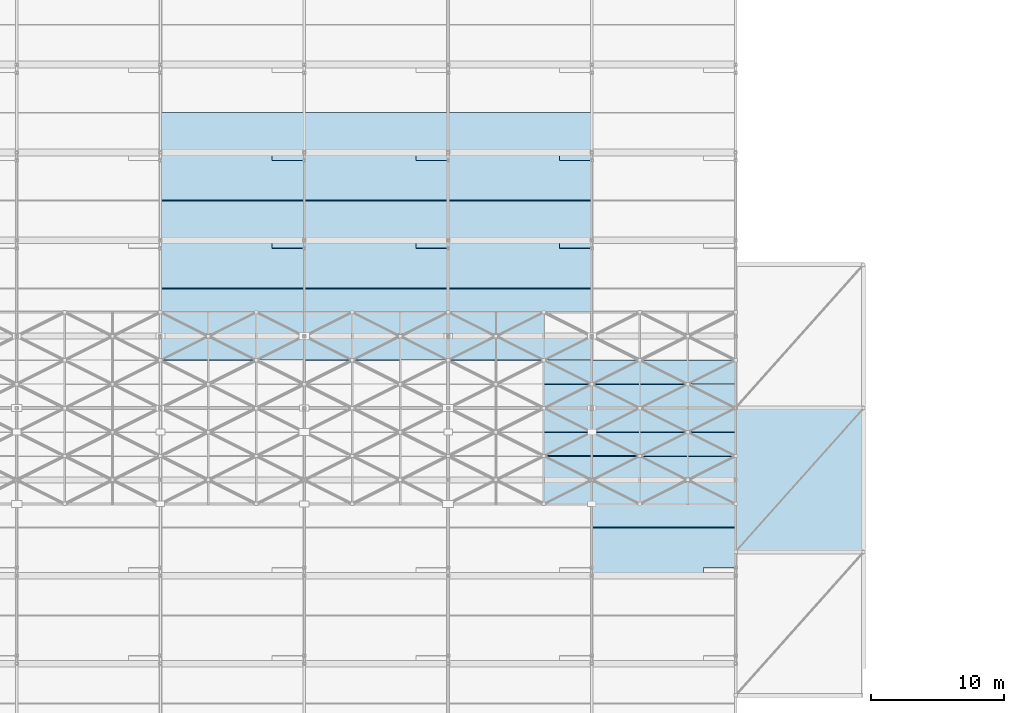
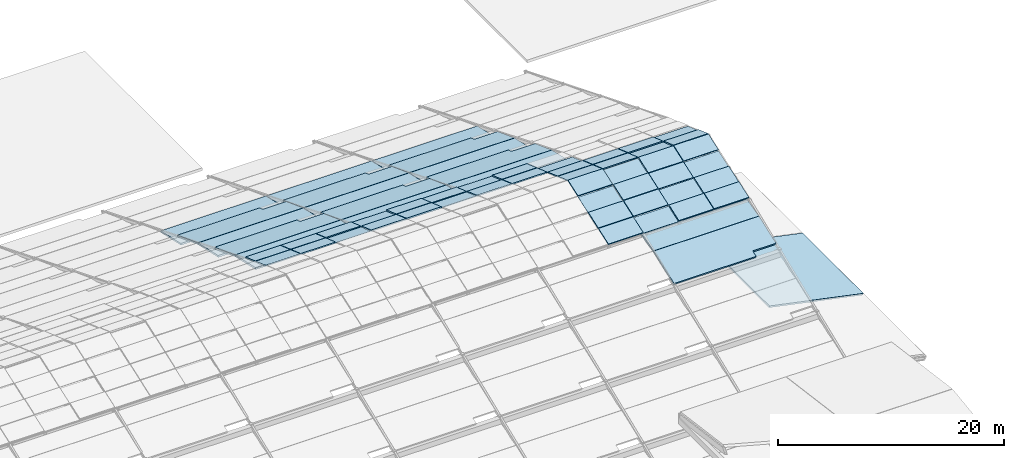
# One storey, part 103 of 112: 41 plates, 18 slabs, 4 elements without a shape of their own.
"""IFC4 building model written with IfcOpenShell, lengths in metres."""

from ifc_helpers import new_model, si_unit, direction, frame, origin, place, context, subcontext, project, spatial, polyline, outline, extrude, material, layer, layer_set, type_object, element, aggregate, save


model = new_model("IFC4")

# Units and contexts
model_context = context("Model", 3, precision=1e-05, world=origin(), true_north=direction((0.0, 1.0)))
body_context = subcontext(model_context, "Body", "Model", "MODEL_VIEW")
ifc_project = project(units=[si_unit("LENGTHUNIT", "METRE"), si_unit("AREAUNIT", "SQUARE_METRE"), si_unit("VOLUMEUNIT", "CUBIC_METRE"), si_unit("PLANEANGLEUNIT", "RADIAN"), si_unit("MASSUNIT", "GRAM", prefix="KILO")], contexts=[model_context])

# Site, building, storey
site_placement = place(None, origin())
site = spatial("IfcSite", under=ifc_project, at=site_placement, CompositionType="ELEMENT")
building_placement = place(site_placement, origin())
building = spatial("IfcBuilding", under=site, at=building_placement, Name="Zwinboog Wholesale Market", CompositionType="ELEMENT")
storey_placement = place(building_placement, frame((0.0, 0.0, 19.080078125)))
storey = spatial("IfcBuildingStorey", under=building, at=storey_placement, Name="Roof", CompositionType="ELEMENT", Elevation=19.080078125)

# Roof, slab
ifc_material_1 = material(Name="Concrete C50/60", Category="concrete")
roof_type = type_object("IfcRoofType", Name="RFT-SHELL-BARREL", PredefinedType="BARREL_ROOF", material=ifc_material_1)
roof_1_placement = place(storey_placement, origin())
roof_1 = element("IfcRoof", 1, at=roof_1_placement, inside=storey, type_object=roof_type, Name="RF-SH (ROOF-BARREL-02)", PredefinedType="BARREL_ROOF")
ifc_layer_1 = layer(ifc_material_1, 0.172119140625)
ifc_layer_set_1 = layer_set([ifc_layer_1], Name="Concrete C50/60")
slab_type_1 = type_object("IfcSlabType", Name="SLT-SH-172", PredefinedType="ROOF", material=ifc_layer_set_1)
slab_1_placement = place(storey_placement, frame((129.610107421875, 94.2099609375, -4.630126953125), z_axis=(0.0, 0.219360206869, 0.975643941017), x_axis=(1.0, 0.0, 0.0)))
slab_1 = element("IfcSlab", 2, at=slab_1_placement, type_object=slab_type_1, Name="SH-172 (SLB-SH-NT2-B07-2)", PredefinedType="ROOF", context=body_context, shape_type="SweptSolid", body=[
    extrude(outline(polyline([(0.0, 0.0), (10.77978515625, 0.0), (10.77978515625, 3.669451502225199), (0.0, 3.669451502225199), (0.0, 0.0)])), origin(), (0.0, 0.0, -1.0), 0.172119140625),
])

roof_2_placement = place(storey_placement, origin())
roof_2 = element("IfcRoof", 3, at=roof_2_placement, inside=storey, type_object=roof_type, Name="RF-SH (ROOF-BARREL-03)", PredefinedType="BARREL_ROOF")
slab_2_placement = place(storey_placement, frame((140.409912109375, 94.2099609375, -4.630126953125), z_axis=(0.0, 0.219360206869, 0.975643941017), x_axis=(1.0, 0.0, 0.0)))
slab_2 = element("IfcSlab", 4, at=slab_2_placement, type_object=slab_type_1, Name="SH-172 (SLB-SH-NT2-B08-2)", PredefinedType="ROOF", context=body_context, shape_type="SweptSolid", body=[
    extrude(outline(polyline([(0.0, 0.0), (10.780029296875, 0.0), (10.780029296875, 3.669451502225199), (0.0, 3.669451502225199), (0.0, 0.0)])), origin(), (0.0, 0.0, -1.0), 0.172119140625),
])

roof_3_placement = place(storey_placement, origin())
roof_3 = element("IfcRoof", 5, at=roof_3_placement, inside=storey, type_object=roof_type, Name="RF-SH (ROOF-BARREL-04)", PredefinedType="BARREL_ROOF")
slab_3_placement = place(storey_placement, frame((151.2099609375, 94.2099609375, -4.630126953125), z_axis=(0.0, 0.219360206869, 0.975643941017), x_axis=(1.0, 0.0, 0.0)))
slab_3 = element("IfcSlab", 6, at=slab_3_placement, type_object=slab_type_1, Name="SH-172 (SLB-SH-NT2-B09-2)", PredefinedType="ROOF", context=body_context, shape_type="SweptSolid", body=[
    extrude(outline(polyline([(0.0, 0.0), (10.780029296875, 0.0), (10.780029296875, 3.669451502225199), (0.0, 3.669451502225199), (0.0, 0.0)])), origin(), (0.0, 0.0, -1.0), 0.172119140625),
])

# Slab
slab_4_placement = place(storey_placement, frame((172.800048828125, 64.820068359375, -8.68017578125), z_axis=(0.203957236795, 0.0, 0.978979798341), x_axis=(0.978979798341, 0.0, -0.203957236795)))
element("IfcSlab", 7, at=slab_4_placement, inside=storey, type_object=slab_type_1, Name="SH-172 (SLB-CAN-02)", PredefinedType="ROOF", context=body_context, shape_type="SweptSolid", body=[
    extrude(outline(polyline([(0.0, 0.0), (9.8059771324156, 0.0), (9.8059771324156, 10.760009765625), (0.0, 10.760009765625), (0.0, 0.0)])), origin(), (0.0, 0.0, -1.0), 0.179931640625),
])

ifc_layer_2 = layer(ifc_material_1, 0.18603515625)
ifc_layer_set_2 = layer_set([ifc_layer_2], Name="Concrete C50/60")
slab_type_2 = type_object("IfcSlabType", Name="SLT-SH-186", PredefinedType="ROOF", material=ifc_layer_set_2)
slab_5_placement = place(storey_placement, frame((129.610107421875, 91.2099609375, -2.735107421875), z_axis=(4.69326e-06, 0.351688567707, 0.936117060694), x_axis=(0.999999999989, -1.650566e-06, -4.393441e-06)))
slab_5 = element("IfcSlab", 8, at=slab_5_placement, type_object=slab_type_2, Name="SH-186 (SLB-SH-NT3-B07-1)", PredefinedType="ROOF", context=body_context, shape_type="SweptSolid", body=[
    extrude(outline(polyline([(0.0, 0.0), (10.779785156131279, 0.0), (10.77978515650044, 3.183371243768934), (8.37988281277687, 3.183371243768934), (8.379882812301986, 3.824383031661528), (-1.0572380666834866e-10, 3.824383031661528), (0.0, 0.0)])), origin(), (0.0, 0.0, -1.0), 0.18603515625),
])

slab_6_placement = place(storey_placement, frame((129.610107421875, 87.610107421875, -1.93017578125), z_axis=(0.0, 0.219374447053, 0.975640739197), x_axis=(1.0, 0.0, 0.0)))
slab_6 = element("IfcSlab", 9, at=slab_6_placement, type_object=slab_type_2, Name="SH-186 (SLB-SH-NT3-B07-2)", PredefinedType="ROOF", context=body_context, shape_type="SweptSolid", body=[
    extrude(outline(polyline([(0.0, 0.0), (10.77978515625, 0.0), (10.77978515625, 3.6692133082944967), (0.0, 3.6692133082944967), (0.0, 0.0)])), origin(), (0.0, 0.0, -1.0), 0.18603515625),
])

slab_7_placement = place(storey_placement, frame((140.409912109375, 91.2099609375, -2.735107421875), z_axis=(4.69315e-06, 0.351688567577, 0.936117060743), x_axis=(0.999999999989, -1.650527e-06, -4.393337e-06)))
slab_7 = element("IfcSlab", 10, at=slab_7_placement, type_object=slab_type_2, Name="SH-186 (SLB-SH-NT3-B08-1)", PredefinedType="ROOF", context=body_context, shape_type="SweptSolid", body=[
    extrude(outline(polyline([(0.0, 0.0), (10.78002929675628, 2.2827599967049336e-21), (10.780029297125436, 3.183371243768923), (8.380126953401867, 3.183371243768923), (8.380126952926993, 3.824383031661531), (-1.0571883235301646e-10, 3.824383031661531), (0.0, 0.0)])), origin(), (0.0, 0.0, -1.0), 0.18603515625),
])

slab_8_placement = place(storey_placement, frame((140.409912109375, 87.610107421875, -1.93017578125), z_axis=(0.0, 0.219374447053, 0.975640739197), x_axis=(1.0, 0.0, 0.0)))
slab_8 = element("IfcSlab", 11, at=slab_8_placement, type_object=slab_type_2, Name="SH-186 (SLB-SH-NT3-B08-2)", PredefinedType="ROOF", context=body_context, shape_type="SweptSolid", body=[
    extrude(outline(polyline([(0.0, 0.0), (10.780029296875, 0.0), (10.780029296875, 3.6692133082944967), (0.0, 3.6692133082944967), (0.0, 0.0)])), origin(), (0.0, 0.0, -1.0), 0.18603515625),
])

slab_9_placement = place(storey_placement, frame((151.2099609375, 91.2099609375, -2.735107421875), z_axis=(4.69315e-06, 0.351688567577, 0.936117060743), x_axis=(0.999999999989, -1.650527e-06, -4.393337e-06)))
slab_9 = element("IfcSlab", 12, at=slab_9_placement, type_object=slab_type_2, Name="SH-186 (SLB-SH-NT3-B09-1)", PredefinedType="ROOF", context=body_context, shape_type="SweptSolid", body=[
    extrude(outline(polyline([(0.0, 0.0), (10.78002929675628, 2.2827599967049336e-21), (10.780029297125436, 3.183371243768923), (8.380126953401867, 3.183371243768923), (8.380126952926993, 3.824383031661531), (-1.0571883235301646e-10, 3.824383031661531), (0.0, 0.0)])), origin(), (0.0, 0.0, -1.0), 0.18603515625),
])

slab_10_placement = place(storey_placement, frame((151.2099609375, 87.610107421875, -1.93017578125), z_axis=(0.0, 0.219374447053, 0.975640739197), x_axis=(1.0, 0.0, 0.0)))
slab_10 = element("IfcSlab", 13, at=slab_10_placement, type_object=slab_type_2, Name="SH-186 (SLB-SH-NT3-B09-2)", PredefinedType="ROOF", context=body_context, shape_type="SweptSolid", body=[
    extrude(outline(polyline([(0.0, 0.0), (10.780029296875, 0.0), (10.780029296875, 3.6692133082944967), (0.0, 3.6692133082944967), (0.0, 0.0)])), origin(), (0.0, 0.0, -1.0), 0.18603515625),
])

ifc_layer_3 = layer(ifc_material_1, 0.201904296875)
ifc_layer_set_3 = layer_set([ifc_layer_3], Name="Concrete C50/60")
slab_type_3 = type_object("IfcSlabType", Name="SLT-SH-202", PredefinedType="ROOF", material=ifc_layer_set_3)
slab_11_placement = place(storey_placement, frame((129.610107421875, 84.610107421875, -0.03515625), z_axis=(1.249594e-06, 0.351705539607, 0.936110684379), x_axis=(0.999999999999, -4.39489e-07, -1.169758e-06)))
slab_11 = element("IfcSlab", 14, at=slab_11_placement, type_object=slab_type_3, Name="SH-202 (SLB-SH-NT4-B07-1)", PredefinedType="ROOF", context=body_context, shape_type="SweptSolid", body=[
    extrude(outline(polyline([(0.0, 0.0), (10.779785156241584, 0.0), (10.779785156267753, 3.1833712446718234), (8.379882812519627, 3.1833712446718234), (8.379882812485963, 3.824154487977018), (-7.494821892877005e-12, 3.824154487977018), (0.0, 0.0)])), origin(), (0.0, 0.0, -1.0), 0.201904296875),
])

slab_12_placement = place(storey_placement, frame((129.610107421875, 81.010009765625, 0.77001953125), z_axis=(0.0, 0.219423537249, 0.975629699887), x_axis=(1.0, 0.0, 0.0)))
slab_12 = element("IfcSlab", 15, at=slab_12_placement, type_object=slab_type_3, Name="SH-202 (SLB-SH-NT4-B07-2)", PredefinedType="ROOF", context=body_context, shape_type="SweptSolid", body=[
    extrude(outline(polyline([(0.0, 0.0), (10.77978515625, 0.0), (10.77978515625, 3.66950506469402), (0.0, 3.66950506469402), (0.0, 0.0)])), origin(), (0.0, 0.0, -1.0), 0.201904296875),
])

aggregate(roof_1, [slab_1, slab_5, slab_6, slab_11, slab_12])

slab_13_placement = place(storey_placement, frame((140.409912109375, 84.610107421875, -0.03515625), z_axis=(1.249564e-06, 0.351705539572, 0.936110684392), x_axis=(0.999999999999, -4.39479e-07, -1.169731e-06)))
slab_13 = element("IfcSlab", 16, at=slab_13_placement, type_object=slab_type_3, Name="SH-202 (SLB-SH-NT4-B08-1)", PredefinedType="ROOF", context=body_context, shape_type="SweptSolid", body=[
    extrude(outline(polyline([(0.0, 0.0), (10.780029296866584, -5.706899991762334e-22), (10.780029296892753, 3.183371244671823), (8.380126953144627, 3.183371244671823), (8.380126953110963, 3.824154487977019), (-7.494469264378976e-12, 3.824154487977019), (0.0, 0.0)])), origin(), (0.0, 0.0, -1.0), 0.201904296875),
])

slab_14_placement = place(storey_placement, frame((140.409912109375, 81.010009765625, 0.77001953125), z_axis=(0.0, 0.219423537249, 0.975629699887), x_axis=(1.0, 0.0, 0.0)))
slab_14 = element("IfcSlab", 17, at=slab_14_placement, type_object=slab_type_3, Name="SH-202 (SLB-SH-NT4-B08-2)", PredefinedType="ROOF", context=body_context, shape_type="SweptSolid", body=[
    extrude(outline(polyline([(0.0, 0.0), (10.780029296875, 0.0), (10.780029296875, 3.66950506469402), (0.0, 3.66950506469402), (0.0, 0.0)])), origin(), (0.0, 0.0, -1.0), 0.201904296875),
])

aggregate(roof_2, [slab_2, slab_7, slab_8, slab_13, slab_14])

slab_15_placement = place(storey_placement, frame((151.2099609375, 84.610107421875, -0.03515625), z_axis=(1.249564e-06, 0.351705539572, 0.936110684392), x_axis=(0.999999999999, -4.39479e-07, -1.169731e-06)))
slab_15 = element("IfcSlab", 18, at=slab_15_placement, type_object=slab_type_3, Name="SH-202 (SLB-SH-NT4-B09-1)", PredefinedType="ROOF", context=body_context, shape_type="SweptSolid", body=[
    extrude(outline(polyline([(0.0, 0.0), (10.780029296866584, -5.706899991762334e-22), (10.780029296892753, 3.183371244671823), (8.380126953144627, 3.183371244671823), (8.380126953110963, 3.824154487977019), (-7.494469264378976e-12, 3.824154487977019), (0.0, 0.0)])), origin(), (0.0, 0.0, -1.0), 0.201904296875),
])

slab_16_placement = place(storey_placement, frame((151.2099609375, 81.010009765625, 0.77001953125), z_axis=(0.0, 0.219423537249, 0.975629699887), x_axis=(1.0, 0.0, 0.0)))
slab_16 = element("IfcSlab", 19, at=slab_16_placement, type_object=slab_type_3, Name="SH-202 (SLB-SH-NT4-B09-2)", PredefinedType="ROOF", context=body_context, shape_type="SweptSolid", body=[
    extrude(outline(polyline([(0.0, 0.0), (10.780029296875, 0.0), (10.780029296875, 3.66950506469402), (0.0, 3.66950506469402), (0.0, 0.0)])), origin(), (0.0, 0.0, -1.0), 0.201904296875),
])

aggregate(roof_3, [slab_3, slab_9, slab_10, slab_15, slab_16])

# Roof, slabs
roof_4_placement = place(storey_placement, origin())
roof_4 = element("IfcRoof", 20, at=roof_4_placement, inside=storey, type_object=roof_type, Name="RF-SH (ROOF-BARREL-05)", PredefinedType="BARREL_ROOF")
slab_17_placement = place(storey_placement, frame((162.010009765625, 63.010009765625, -1.380126953125), z_axis=(4.693168e-06, -0.35168856816, 0.936117060524), x_axis=(0.999999999989, 1.650534e-06, -4.393355e-06)))
slab_17 = element("IfcSlab", 21, at=slab_17_placement, type_object=slab_type_3, Name="SH-202 (SLB-SH-ST4-B10-1)", PredefinedType="ROOF", context=body_context, shape_type="SweptSolid", body=[
    extrude(outline(polyline([(0.0, 0.0), (8.379882812407713, -1.7745092090793826e-21), (8.379882812882592, 0.641011787892545), (10.78002929723116, 0.641011787892545), (10.78002929686201, 3.8243830316615175), (1.0573042088097136e-10, 3.8243830316615175), (0.0, 0.0)])), origin(), (0.0, 0.0, -1.0), 0.201904296875),
])
slab_18_placement = place(storey_placement, frame((162.010009765625, 66.610107421875, -0.03515625), z_axis=(0.0, -0.219437781128, 0.975626496265), x_axis=(1.0, 0.0, 0.0)))
slab_18 = element("IfcSlab", 22, at=slab_18_placement, type_object=slab_type_3, Name="SH-202 (SLB-SH-ST4-B10-2)", PredefinedType="ROOF", context=body_context, shape_type="SweptSolid", body=[
    extrude(outline(polyline([(0.0, 0.0), (10.780029296875, 0.0), (10.780029296875, 3.669266874240375), (0.0, 3.669266874240375), (0.0, 0.0)])), origin(), (0.0, 0.0, -1.0), 0.201904296875),
])
aggregate(roof_4, [slab_17, slab_18])

# Plates
ifc_material_2 = material(Name="Blue solar control glass", Category="glass")
ifc_layer_4 = layer(ifc_material_2, 0.030029296875)
ifc_layer_set_4 = layer_set([ifc_layer_4], Name="Blue solar control glass")
plate_type_1 = type_object("IfcPlateType", Name="PLT-SKG-01", PredefinedType="SHEET", material=ifc_layer_set_4)
plate_1_placement = place(storey_placement, frame((162.02001953125, 73.820068359375, 2.66943359375), z_axis=(0.0, -0.333825357548, 0.942634940291), x_axis=(1.0, 0.0, 0.0)))
element("IfcPlate", 23, at=plate_1_placement, inside=storey, type_object=plate_type_1, Name="SKG-01 (PLT-SKY-0258)", PredefinedType="SHEET", context=body_context, shape_type="SweptSolid", body=[
    extrude(outline(polyline([(0.0, 0.0), (3.56005859375, 0.0), (3.56005859375, 1.8671170464794682), (0.0, 1.8671170464794682), (0.0, 0.0)])), origin(), (0.0, 0.0, -1.0), 0.030029296875),
])
ifc_layer_5 = layer(ifc_material_2, 0.033935546875)
ifc_layer_set_5 = layer_set([ifc_layer_5], Name="Blue solar control glass")
plate_type_2 = type_object("IfcPlateType", Name="PLT-SKG-02", PredefinedType="SHEET", material=ifc_layer_set_5)
for number, where, z_axis, x_axis, name in (
    (24, (151.219970703125, 81.02001953125, 1.38427734375), (0.0, 0.333825357548, 0.942634940291), (1.0, 0.0, 0.0), "SKG-02 (PLT-SKY-0236)"),
    (25, (169.219970703125, 72.02001953125, 2.0361328125), (0.0, -0.333825357548, 0.942634940291), (1.0, 0.0, 0.0), "SKG-02 (PLT-SKY-0275)"),
):
    element("IfcPlate", number, at=place(storey_placement, frame(where, z_axis=z_axis, x_axis=x_axis)), inside=storey, type_object=plate_type_2, Name=name, PredefinedType="SHEET", context=body_context, shape_type="SweptSolid", body=[
        extrude(outline(polyline([(0.0, 0.0), (3.56005859375, 0.0), (3.56005859375, 1.8671170464794682), (0.0, 1.8671170464794682), (0.0, 0.0)])), origin(), (0.0, 0.0, -1.0), 0.033935546875),
    ])
ifc_layer_6 = layer(ifc_material_2, 0.0380859375)
ifc_layer_set_6 = layer_set([ifc_layer_6], Name="Blue solar control glass")
plate_type_3 = type_object("IfcPlateType", Name="PLT-SKG-03", PredefinedType="SHEET", material=ifc_layer_set_6)
plate_2_placement = place(storey_placement, frame((136.820068359375, 79.219970703125, 2.02587890625), z_axis=(0.0, 0.333825357548, 0.942634940291), x_axis=(1.0, 0.0, 0.0)))
element("IfcPlate", 26, at=plate_2_placement, inside=storey, type_object=plate_type_3, Name="SKG-03 (PLT-SKY-0195)", PredefinedType="SHEET", context=body_context, shape_type="SweptSolid", body=[
    extrude(outline(polyline([(0.0, 0.0), (3.559814453125, 0.0), (3.559814453125, 1.8671170464794682), (0.0, 1.8671170464794682), (0.0, 0.0)])), origin(), (0.0, 0.0, -1.0), 0.0380859375),
])
plate_3_placement = place(storey_placement, frame((158.419921875, 79.219970703125, 2.02587890625), z_axis=(0.0, 0.333825357548, 0.942634940291), x_axis=(1.0, 0.0, 0.0)))
element("IfcPlate", 27, at=plate_3_placement, inside=storey, type_object=plate_type_3, Name="SKG-03 (PLT-SKY-0251)", PredefinedType="SHEET", context=body_context, shape_type="SweptSolid", body=[
    extrude(outline(polyline([(0.0, 0.0), (3.56005859375, 0.0), (3.56005859375, 1.8671170464794682), (0.0, 1.8671170464794682), (0.0, 0.0)])), origin(), (0.0, 0.0, -1.0), 0.0380859375),
])
plate_4_placement = place(storey_placement, frame((165.6201171875, 75.6201171875, 3.30078125), z_axis=(0.0, 0.333866508657, 0.942620366), x_axis=(1.0, 0.0, 0.0)))
element("IfcPlate", 28, at=plate_4_placement, inside=storey, type_object=plate_type_3, Name="SKG-03 (PLT-SKY-0269)", PredefinedType="SHEET", context=body_context, shape_type="SweptSolid", body=[
    extrude(outline(polyline([(0.0, 0.0), (3.559814453125, 0.0), (3.559814453125, 1.866886912774977), (0.0, 1.866886912774977), (0.0, 0.0)])), origin(), (0.0, 0.0, -1.0), 0.0380859375),
])
ifc_layer_7 = layer(ifc_material_2, 0.0419921875)
ifc_layer_set_7 = layer_set([ifc_layer_7], Name="Blue solar control glass")
plate_type_4 = type_object("IfcPlateType", Name="PLT-SKG-04", PredefinedType="SHEET", material=ifc_layer_set_7)
plate_5_placement = place(storey_placement, frame((162.02001953125, 68.419921875, 0.76904296875), z_axis=(0.0, -0.333825357548, 0.942634940291), x_axis=(1.0, 0.0, 0.0)))
element("IfcPlate", 29, at=plate_5_placement, inside=storey, type_object=plate_type_4, Name="SKG-04 (PLT-SKY-0254)", PredefinedType="SHEET", context=body_context, shape_type="SweptSolid", body=[
    extrude(outline(polyline([(0.0, 0.0), (3.56005859375, 0.0), (3.56005859375, 1.8671170464794682), (0.0, 1.8671170464794682), (0.0, 0.0)])), origin(), (0.0, 0.0, -1.0), 0.0419921875),
])
ifc_layer_8 = layer(ifc_material_2, 0.0458984375)
ifc_layer_set_8 = layer_set([ifc_layer_8], Name="Blue solar control glass")
plate_type_5 = type_object("IfcPlateType", Name="PLT-SKG-05", PredefinedType="SHEET", material=ifc_layer_set_8)
for number, where, z_axis, x_axis, name in (
    (30, (140.419921875, 81.02001953125, 1.396240234375), (0.0, 0.333825357548, 0.942634940291), (1.0, 0.0, 0.0), "SKG-05 (PLT-SKY-0208)"),
    (31, (158.419921875, 72.02001953125, 2.048095703125), (0.0, -0.333825357548, 0.942634940291), (1.0, 0.0, 0.0), "SKG-05 (PLT-SKY-0247)"),
    (32, (169.219970703125, 77.419921875, 2.67138671875), (0.0, 0.333825357548, 0.942634940291), (1.0, 0.0, 0.0), "SKG-05 (PLT-SKY-0278)"),
):
    element("IfcPlate", number, at=place(storey_placement, frame(where, z_axis=z_axis, x_axis=x_axis)), inside=storey, type_object=plate_type_5, Name=name, PredefinedType="SHEET", context=body_context, shape_type="SweptSolid", body=[
        extrude(outline(polyline([(0.0, 0.0), (3.56005859375, 0.0), (3.56005859375, 1.8671170464794682), (0.0, 1.8671170464794682), (0.0, 0.0)])), origin(), (0.0, 0.0, -1.0), 0.0458984375),
    ])
ifc_layer_9 = layer(ifc_material_2, 0.050048828125)
ifc_layer_set_9 = layer_set([ifc_layer_9], Name="Blue solar control glass")
plate_type_6 = type_object("IfcPlateType", Name="PLT-SKG-06", PredefinedType="SHEET", material=ifc_layer_set_9)
for number, where, z_axis, x_axis, name in (
    (33, (147.6201171875, 79.219970703125, 2.037841796875), (0.0, 0.333825357548, 0.942634940291), (1.0, 0.0, 0.0), "SKG-06 (PLT-SKY-0223)"),
    (34, (165.6201171875, 70.219970703125, 1.41455078125), (0.0, -0.333825357548, 0.942634940291), (1.0, 0.0, 0.0), "SKG-06 (PLT-SKY-0266)"),
):
    element("IfcPlate", number, at=place(storey_placement, frame(where, z_axis=z_axis, x_axis=x_axis)), inside=storey, type_object=plate_type_6, Name=name, PredefinedType="SHEET", context=body_context, shape_type="SweptSolid", body=[
        extrude(outline(polyline([(0.0, 0.0), (3.559814453125, 0.0), (3.559814453125, 1.8671170464794682), (0.0, 1.8671170464794682), (0.0, 0.0)])), origin(), (0.0, 0.0, -1.0), 0.050048828125),
    ])
ifc_material_3 = material(Name="White insulated aluminium roof panel", Category="aluminium")
ifc_layer_10 = layer(ifc_material_3, 0.110107421875)
ifc_layer_set_10 = layer_set([ifc_layer_10], Name="White insulated aluminium roof panel")
plate_type_7 = type_object("IfcPlateType", Name="PLT-SKW-01", PredefinedType="USERDEFINED", material=ifc_layer_set_10)
for number, where, z_axis, x_axis, name in (
    (35, (129.6201171875, 79.219970703125, 2.097900390625), (0.0, 0.333825357548, 0.942634940291), (1.0, 0.0, 0.0), "SKW-01 (PLT-SKY-0178)"),
    (36, (147.6201171875, 81.02001953125, 1.460205078125), (0.0, 0.333825357548, 0.942634940291), (1.0, 0.0, 0.0), "SKW-01 (PLT-SKY-0224)"),
):
    element("IfcPlate", number, at=place(storey_placement, frame(where, z_axis=z_axis, x_axis=x_axis)), inside=storey, type_object=plate_type_7, Name=name, ObjectType="INSULATED_ROOF_PANEL", PredefinedType="USERDEFINED", context=body_context, shape_type="SweptSolid", body=[
        extrude(outline(polyline([(0.0, 0.0), (3.559814453125, 0.0), (3.559814453125, 1.8671170464794682), (0.0, 1.8671170464794682), (0.0, 0.0)])), origin(), (0.0, 0.0, -1.0), 0.110107421875),
    ])
plate_6_placement = place(storey_placement, frame((151.219970703125, 79.219970703125, 2.097900390625), z_axis=(0.0, 0.333825357548, 0.942634940291), x_axis=(1.0, 0.0, 0.0)))
element("IfcPlate", 37, at=plate_6_placement, inside=storey, type_object=plate_type_7, Name="SKW-01 (PLT-SKY-0234)", ObjectType="INSULATED_ROOF_PANEL", PredefinedType="USERDEFINED", context=body_context, shape_type="SweptSolid", body=[
    extrude(outline(polyline([(0.0, 0.0), (3.56005859375, 0.0), (3.56005859375, 1.8671170464794682), (0.0, 1.8671170464794682), (0.0, 0.0)])), origin(), (0.0, 0.0, -1.0), 0.110107421875),
])
plate_7_placement = place(storey_placement, frame((158.419921875, 75.6201171875, 3.372802734375), z_axis=(0.0, 0.333866508657, 0.942620366), x_axis=(1.0, 0.0, 0.0)))
element("IfcPlate", 38, at=plate_7_placement, inside=storey, type_object=plate_type_7, Name="SKW-01 (PLT-SKY-0249)", ObjectType="INSULATED_ROOF_PANEL", PredefinedType="USERDEFINED", context=body_context, shape_type="SweptSolid", body=[
    extrude(outline(polyline([(0.0, 0.0), (3.56005859375, 0.0), (3.56005859375, 1.866886912774977), (0.0, 1.866886912774977), (0.0, 0.0)])), origin(), (0.0, 0.0, -1.0), 0.110107421875),
])
plate_8_placement = place(storey_placement, frame((165.6201171875, 72.02001953125, 2.112060546875), z_axis=(0.0, -0.333825357548, 0.942634940291), x_axis=(1.0, 0.0, 0.0)))
element("IfcPlate", 39, at=plate_8_placement, inside=storey, type_object=plate_type_7, Name="SKW-01 (PLT-SKY-0267)", ObjectType="INSULATED_ROOF_PANEL", PredefinedType="USERDEFINED", context=body_context, shape_type="SweptSolid", body=[
    extrude(outline(polyline([(0.0, 0.0), (3.559814453125, 0.0), (3.559814453125, 1.8671170464794682), (0.0, 1.8671170464794682), (0.0, 0.0)])), origin(), (0.0, 0.0, -1.0), 0.110107421875),
])
plate_9_placement = place(storey_placement, frame((169.219970703125, 70.219970703125, 1.474609375), z_axis=(0.0, -0.333825357548, 0.942634940291), x_axis=(1.0, 0.0, 0.0)))
element("IfcPlate", 40, at=plate_9_placement, inside=storey, type_object=plate_type_7, Name="SKW-01 (PLT-SKY-0274)", ObjectType="INSULATED_ROOF_PANEL", PredefinedType="USERDEFINED", context=body_context, shape_type="SweptSolid", body=[
    extrude(outline(polyline([(0.0, 0.0), (3.56005859375, 0.0), (3.56005859375, 1.8671170464794682), (0.0, 1.8671170464794682), (0.0, 0.0)])), origin(), (0.0, 0.0, -1.0), 0.110107421875),
])
ifc_layer_11 = layer(ifc_material_3, 0.1201171875)
ifc_layer_set_11 = layer_set([ifc_layer_11], Name="White insulated aluminium roof panel")
plate_type_8 = type_object("IfcPlateType", Name="PLT-SKW-02", PredefinedType="USERDEFINED", material=ifc_layer_set_11)
plate_10_placement = place(storey_placement, frame((129.6201171875, 81.02001953125, 1.47021484375), z_axis=(0.0, 0.333825357548, 0.942634940291), x_axis=(1.0, 0.0, 0.0)))
element("IfcPlate", 41, at=plate_10_placement, inside=storey, type_object=plate_type_8, Name="SKW-02 (PLT-SKY-0180)", ObjectType="INSULATED_ROOF_PANEL", PredefinedType="USERDEFINED", context=body_context, shape_type="SweptSolid", body=[
    extrude(outline(polyline([(0.0, 0.0), (3.559814453125, 0.0), (3.559814453125, 1.8671170464794682), (0.0, 1.8671170464794682), (0.0, 0.0)])), origin(), (0.0, 0.0, -1.0), 0.1201171875),
])
plate_11_placement = place(storey_placement, frame((133.219970703125, 79.219970703125, 2.10791015625), z_axis=(0.0, 0.333825357548, 0.942634940291), x_axis=(1.0, 0.0, 0.0)))
element("IfcPlate", 42, at=plate_11_placement, inside=storey, type_object=plate_type_8, Name="SKW-02 (PLT-SKY-0187)", ObjectType="INSULATED_ROOF_PANEL", PredefinedType="USERDEFINED", context=body_context, shape_type="SweptSolid", body=[
    extrude(outline(polyline([(0.0, 0.0), (3.56005859375, 0.0), (3.56005859375, 1.8671170464794682), (0.0, 1.8671170464794682), (0.0, 0.0)])), origin(), (0.0, 0.0, -1.0), 0.1201171875),
])
plate_12_placement = place(storey_placement, frame((154.820068359375, 79.219970703125, 2.10791015625), z_axis=(0.0, 0.333825357548, 0.942634940291), x_axis=(1.0, 0.0, 0.0)))
element("IfcPlate", 43, at=plate_12_placement, inside=storey, type_object=plate_type_8, Name="SKW-02 (PLT-SKY-0243)", ObjectType="INSULATED_ROOF_PANEL", PredefinedType="USERDEFINED", context=body_context, shape_type="SweptSolid", body=[
    extrude(outline(polyline([(0.0, 0.0), (3.559814453125, 0.0), (3.559814453125, 1.8671170464794682), (0.0, 1.8671170464794682), (0.0, 0.0)])), origin(), (0.0, 0.0, -1.0), 0.1201171875),
])
plate_13_placement = place(storey_placement, frame((158.419921875, 77.419921875, 2.745361328125), z_axis=(0.0, 0.333825357548, 0.942634940291), x_axis=(1.0, 0.0, 0.0)))
element("IfcPlate", 44, at=plate_13_placement, inside=storey, type_object=plate_type_8, Name="SKW-02 (PLT-SKY-0250)", ObjectType="INSULATED_ROOF_PANEL", PredefinedType="USERDEFINED", context=body_context, shape_type="SweptSolid", body=[
    extrude(outline(polyline([(0.0, 0.0), (3.56005859375, 0.0), (3.56005859375, 1.8671170464794682), (0.0, 1.8671170464794682), (0.0, 0.0)])), origin(), (0.0, 0.0, -1.0), 0.1201171875),
])
plate_14_placement = place(storey_placement, frame((162.02001953125, 75.6201171875, 3.3828125), z_axis=(0.0, 0.333866508657, 0.942620366), x_axis=(1.0, 0.0, 0.0)))
element("IfcPlate", 45, at=plate_14_placement, inside=storey, type_object=plate_type_8, Name="SKW-02 (PLT-SKY-0260)", ObjectType="INSULATED_ROOF_PANEL", PredefinedType="USERDEFINED", context=body_context, shape_type="SweptSolid", body=[
    extrude(outline(polyline([(0.0, 0.0), (3.56005859375, 0.0), (3.56005859375, 1.866886912774977), (0.0, 1.866886912774977), (0.0, 0.0)])), origin(), (0.0, 0.0, -1.0), 0.1201171875),
])
plate_15_placement = place(storey_placement, frame((165.6201171875, 73.820068359375, 2.759521484375), z_axis=(0.0, -0.333825357548, 0.942634940291), x_axis=(1.0, 0.0, 0.0)))
element("IfcPlate", 46, at=plate_15_placement, inside=storey, type_object=plate_type_8, Name="SKW-02 (PLT-SKY-0268)", ObjectType="INSULATED_ROOF_PANEL", PredefinedType="USERDEFINED", context=body_context, shape_type="SweptSolid", body=[
    extrude(outline(polyline([(0.0, 0.0), (3.559814453125, 0.0), (3.559814453125, 1.8671170464794682), (0.0, 1.8671170464794682), (0.0, 0.0)])), origin(), (0.0, 0.0, -1.0), 0.1201171875),
])
ifc_layer_12 = layer(ifc_material_3, 0.1298828125)
ifc_layer_set_12 = layer_set([ifc_layer_12], Name="White insulated aluminium roof panel")
plate_type_9 = type_object("IfcPlateType", Name="PLT-SKW-03", PredefinedType="USERDEFINED", material=ifc_layer_set_12)
plate_16_placement = place(storey_placement, frame((133.219970703125, 81.02001953125, 1.480224609375), z_axis=(0.0, 0.333825357548, 0.942634940291), x_axis=(1.0, 0.0, 0.0)))
element("IfcPlate", 47, at=plate_16_placement, inside=storey, type_object=plate_type_9, Name="SKW-03 (PLT-SKY-0188)", ObjectType="INSULATED_ROOF_PANEL", PredefinedType="USERDEFINED", context=body_context, shape_type="SweptSolid", body=[
    extrude(outline(polyline([(0.0, 0.0), (3.56005859375, 0.0), (3.56005859375, 1.8671170464794682), (0.0, 1.8671170464794682), (0.0, 0.0)])), origin(), (0.0, 0.0, -1.0), 0.1298828125),
])
plate_17_placement = place(storey_placement, frame((154.820068359375, 81.02001953125, 1.480224609375), z_axis=(0.0, 0.333825357548, 0.942634940291), x_axis=(1.0, 0.0, 0.0)))
element("IfcPlate", 48, at=plate_17_placement, inside=storey, type_object=plate_type_9, Name="SKW-03 (PLT-SKY-0244)", ObjectType="INSULATED_ROOF_PANEL", PredefinedType="USERDEFINED", context=body_context, shape_type="SweptSolid", body=[
    extrude(outline(polyline([(0.0, 0.0), (3.559814453125, 0.0), (3.559814453125, 1.8671170464794682), (0.0, 1.8671170464794682), (0.0, 0.0)])), origin(), (0.0, 0.0, -1.0), 0.1298828125),
])
for number, where, z_axis, x_axis, name in (
    (49, (158.419921875, 68.419921875, 0.85693359375), (0.0, -0.333825357548, 0.942634940291), (1.0, 0.0, 0.0), "SKW-03 (PLT-SKY-0245)"),
    (50, (162.02001953125, 77.419921875, 2.75537109375), (0.0, 0.333825357548, 0.942634940291), (1.0, 0.0, 0.0), "SKW-03 (PLT-SKY-0261)"),
    (51, (169.219970703125, 73.820068359375, 2.76953125), (0.0, -0.333825357548, 0.942634940291), (1.0, 0.0, 0.0), "SKW-03 (PLT-SKY-0276)"),
):
    element("IfcPlate", number, at=place(storey_placement, frame(where, z_axis=z_axis, x_axis=x_axis)), inside=storey, type_object=plate_type_9, Name=name, ObjectType="INSULATED_ROOF_PANEL", PredefinedType="USERDEFINED", context=body_context, shape_type="SweptSolid", body=[
        extrude(outline(polyline([(0.0, 0.0), (3.56005859375, 0.0), (3.56005859375, 1.8671170464794682), (0.0, 1.8671170464794682), (0.0, 0.0)])), origin(), (0.0, 0.0, -1.0), 0.1298828125),
    ])
ifc_layer_13 = layer(ifc_material_3, 0.139892578125)
ifc_layer_set_13 = layer_set([ifc_layer_13], Name="White insulated aluminium roof panel")
plate_type_10 = type_object("IfcPlateType", Name="PLT-SKW-04", PredefinedType="USERDEFINED", material=ifc_layer_set_13)
plate_18_placement = place(storey_placement, frame((136.820068359375, 81.02001953125, 1.490234375), z_axis=(0.0, 0.333825357548, 0.942634940291), x_axis=(1.0, 0.0, 0.0)))
element("IfcPlate", 52, at=plate_18_placement, inside=storey, type_object=plate_type_10, Name="SKW-04 (PLT-SKY-0196)", ObjectType="INSULATED_ROOF_PANEL", PredefinedType="USERDEFINED", context=body_context, shape_type="SweptSolid", body=[
    extrude(outline(polyline([(0.0, 0.0), (3.559814453125, 0.0), (3.559814453125, 1.8671170464794682), (0.0, 1.8671170464794682), (0.0, 0.0)])), origin(), (0.0, 0.0, -1.0), 0.139892578125),
])
for number, where, z_axis, x_axis, name in (
    (53, (140.419921875, 79.219970703125, 2.1279296875), (0.0, 0.333825357548, 0.942634940291), (1.0, 0.0, 0.0), "SKW-04 (PLT-SKY-0206)"),
    (54, (158.419921875, 70.219970703125, 1.504638671875), (0.0, -0.333825357548, 0.942634940291), (1.0, 0.0, 0.0), "SKW-04 (PLT-SKY-0246)"),
):
    element("IfcPlate", number, at=place(storey_placement, frame(where, z_axis=z_axis, x_axis=x_axis)), inside=storey, type_object=plate_type_10, Name=name, ObjectType="INSULATED_ROOF_PANEL", PredefinedType="USERDEFINED", context=body_context, shape_type="SweptSolid", body=[
        extrude(outline(polyline([(0.0, 0.0), (3.56005859375, 0.0), (3.56005859375, 1.8671170464794682), (0.0, 1.8671170464794682), (0.0, 0.0)])), origin(), (0.0, 0.0, -1.0), 0.139892578125),
    ])
plate_19_placement = place(storey_placement, frame((165.6201171875, 77.419921875, 2.765380859375), z_axis=(0.0, 0.333825357548, 0.942634940291), x_axis=(1.0, 0.0, 0.0)))
element("IfcPlate", 55, at=plate_19_placement, inside=storey, type_object=plate_type_10, Name="SKW-04 (PLT-SKY-0270)", ObjectType="INSULATED_ROOF_PANEL", PredefinedType="USERDEFINED", context=body_context, shape_type="SweptSolid", body=[
    extrude(outline(polyline([(0.0, 0.0), (3.559814453125, 0.0), (3.559814453125, 1.8671170464794682), (0.0, 1.8671170464794682), (0.0, 0.0)])), origin(), (0.0, 0.0, -1.0), 0.139892578125),
])
plate_20_placement = place(storey_placement, frame((169.219970703125, 75.6201171875, 3.40283203125), z_axis=(0.0, 0.333866508657, 0.942620366), x_axis=(1.0, 0.0, 0.0)))
element("IfcPlate", 56, at=plate_20_placement, inside=storey, type_object=plate_type_10, Name="SKW-04 (PLT-SKY-0277)", ObjectType="INSULATED_ROOF_PANEL", PredefinedType="USERDEFINED", context=body_context, shape_type="SweptSolid", body=[
    extrude(outline(polyline([(0.0, 0.0), (3.56005859375, 0.0), (3.56005859375, 1.866886912774977), (0.0, 1.866886912774977), (0.0, 0.0)])), origin(), (0.0, 0.0, -1.0), 0.139892578125),
])
ifc_layer_14 = layer(ifc_material_3, 0.14990234375)
ifc_layer_set_14 = layer_set([ifc_layer_14], Name="White insulated aluminium roof panel")
plate_type_11 = type_object("IfcPlateType", Name="PLT-SKW-05", PredefinedType="USERDEFINED", material=ifc_layer_set_14)
for number, where, z_axis, x_axis, name in (
    (57, (144.02001953125, 79.219970703125, 2.137939453125), (0.0, 0.333941536415, 0.942593788573), (1.0, 0.0, 0.0), "SKW-05 (PLT-SKY-0215)"),
    (58, (162.02001953125, 70.219970703125, 1.514404296875), (0.0, -0.333941536415, 0.942593788573), (1.0, 0.0, 0.0), "SKW-05 (PLT-SKY-0255)"),
):
    element("IfcPlate", number, at=place(storey_placement, frame(where, z_axis=z_axis, x_axis=x_axis)), inside=storey, type_object=plate_type_11, Name=name, ObjectType="INSULATED_ROOF_PANEL", PredefinedType="USERDEFINED", context=body_context, shape_type="SweptSolid", body=[
        extrude(outline(polyline([(0.0, 0.0), (3.56005859375, 0.0), (3.56005859375, 1.8671985609932005), (0.0, 1.8671985609932005), (0.0, 0.0)])), origin(), (0.0, 0.0, -1.0), 0.14990234375),
    ])
plate_21_placement = place(storey_placement, frame((165.6201171875, 68.419921875, 0.876953125), z_axis=(0.0, -0.333825357548, 0.942634940291), x_axis=(1.0, 0.0, 0.0)))
element("IfcPlate", 59, at=plate_21_placement, inside=storey, type_object=plate_type_11, Name="SKW-05 (PLT-SKY-0265)", ObjectType="INSULATED_ROOF_PANEL", PredefinedType="USERDEFINED", context=body_context, shape_type="SweptSolid", body=[
    extrude(outline(polyline([(0.0, 0.0), (3.559814453125, 0.0), (3.559814453125, 1.8671170464794682), (0.0, 1.8671170464794682), (0.0, 0.0)])), origin(), (0.0, 0.0, -1.0), 0.14990234375),
])
ifc_layer_15 = layer(ifc_material_3, 0.162109375)
ifc_layer_set_15 = layer_set([ifc_layer_15], Name="White insulated aluminium roof panel")
plate_type_12 = type_object("IfcPlateType", Name="PLT-SKW-06", PredefinedType="USERDEFINED", material=ifc_layer_set_15)
for number, where, z_axis, x_axis, name in (
    (60, (144.02001953125, 81.02001953125, 1.51220703125), (0.0, 0.333825357548, 0.942634940291), (1.0, 0.0, 0.0), "SKW-06 (PLT-SKY-0216)"),
    (61, (158.419921875, 73.820068359375, 2.801513671875), (0.0, -0.333825357548, 0.942634940291), (1.0, 0.0, 0.0), "SKW-06 (PLT-SKY-0248)"),
    (62, (162.02001953125, 72.02001953125, 2.1640625), (0.0, -0.333825357548, 0.942634940291), (1.0, 0.0, 0.0), "SKW-06 (PLT-SKY-0256)"),
    (63, (169.219970703125, 68.419921875, 0.888916015625), (0.0, -0.333825357548, 0.942634940291), (1.0, 0.0, 0.0), "SKW-06 (PLT-SKY-0273)"),
):
    element("IfcPlate", number, at=place(storey_placement, frame(where, z_axis=z_axis, x_axis=x_axis)), inside=storey, type_object=plate_type_12, Name=name, ObjectType="INSULATED_ROOF_PANEL", PredefinedType="USERDEFINED", context=body_context, shape_type="SweptSolid", body=[
        extrude(outline(polyline([(0.0, 0.0), (3.56005859375, 0.0), (3.56005859375, 1.8671170464794682), (0.0, 1.8671170464794682), (0.0, 0.0)])), origin(), (0.0, 0.0, -1.0), 0.162109375),
    ])

save(model, "model.ifc")
